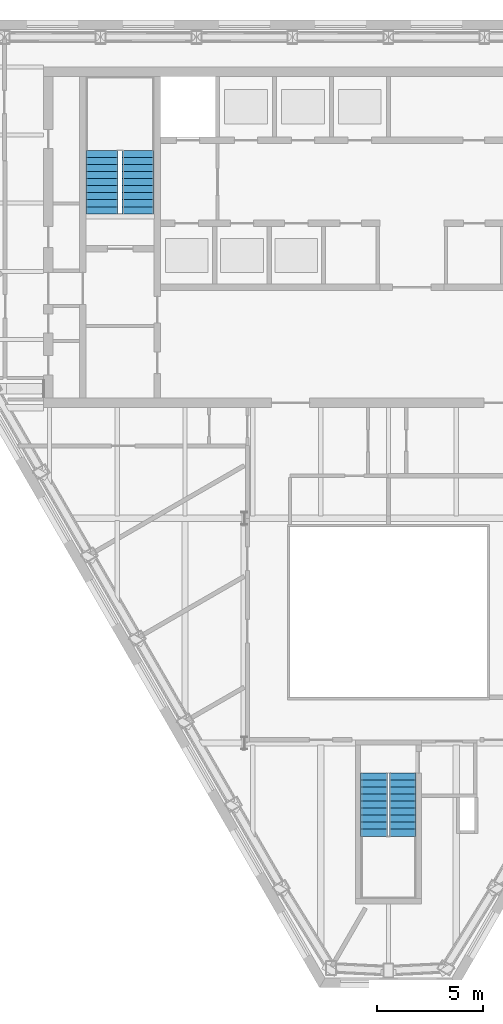
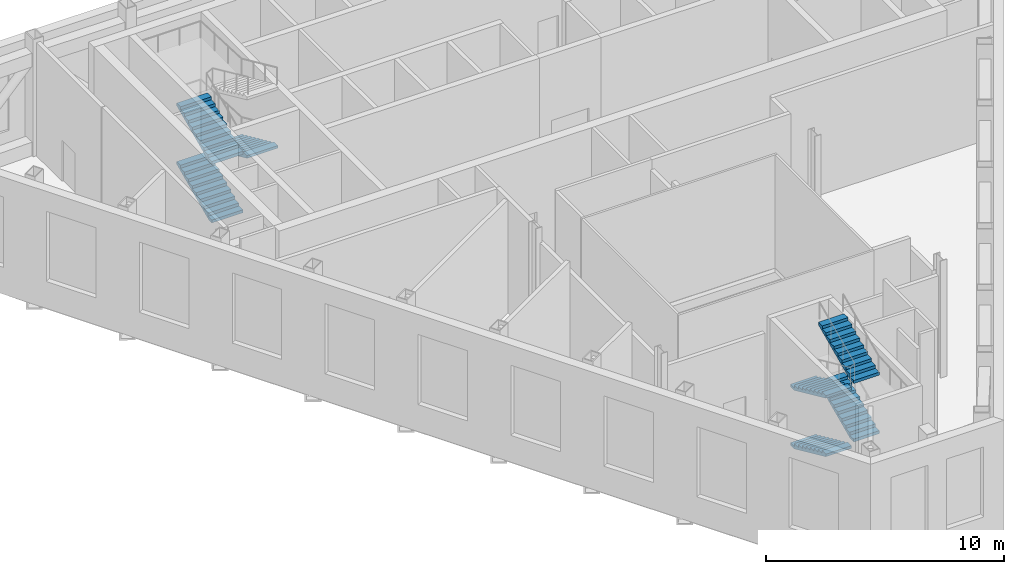
# One storey, part 11 of 14: 7 stair flights, 2 elements without a shape of their own.
"""IFC4 building model written with IfcOpenShell, lengths in metres."""

from ifc_helpers import new_model, si_unit, direction, frame, origin, place, context, subcontext, project, spatial, polygons, material, type_object, element, aggregate, save


model = new_model("IFC4")

# Units and contexts
model_context = context("Model", 3, precision=1e-05, world=origin(), true_north=direction((0.0, 1.0)))
body_context = subcontext(model_context, "Body", "Model", "MODEL_VIEW")
ifc_project = project(units=[si_unit("LENGTHUNIT", "METRE"), si_unit("AREAUNIT", "SQUARE_METRE"), si_unit("VOLUMEUNIT", "CUBIC_METRE"), si_unit("PLANEANGLEUNIT", "RADIAN"), si_unit("MASSUNIT", "GRAM", prefix="KILO")], contexts=[model_context])

# Site, building, storey
site_placement = place(None, origin())
site = spatial("IfcSite", under=ifc_project, at=site_placement, CompositionType="ELEMENT")
building_placement = place(site_placement, origin())
building = spatial("IfcBuilding", under=site, at=building_placement, Name="Njiva Tower", CompositionType="ELEMENT")
storey_placement = place(building_placement, frame((0.0, 0.0, 239.4)))
storey = spatial("IfcBuildingStorey", under=building, at=storey_placement, Name="L54", CompositionType="ELEMENT", Elevation=239.4)

# Stair, stair flights
ifc_material = material(Name="Concrete C40/50", Category="concrete")
stair_type_1 = type_object("IfcStairType", Name="ST1 Exit stair 1250", PredefinedType="HALF_TURN_STAIR", material=ifc_material)
stair_1_placement = place(storey_placement, origin())
stair_1 = element("IfcStair", 1, at=stair_1_placement, inside=storey, type_object=stair_type_1, Name="Stair C", PredefinedType="DOUBLE_RETURN_STAIR")
stair_flight_type_1 = type_object("IfcStairFlightType", Name="FL1 Stair flight 1250", PredefinedType="STRAIGHT", material=ifc_material)
stair_flight_1_placement = place(storey_placement, frame((-0.675, -15.16, 0.0), z_axis=(0.0, 0.0, 1.0), x_axis=(0.0, -1.0, 0.0)))
stair_flight_1 = element("IfcStairFlight", 2, at=stair_flight_1_placement, type_object=stair_flight_type_1, Name="ST-C flight 1", NumberOfRisers=10, NumberOfTreads=9, PredefinedType="STRAIGHT", RiserHeight=0.15, TreadLength=0.33, context=body_context, shape_type="Tessellation", body=[
    polygons([(0.0, 0.625, 0.0), (0.0, 0.3125, 0.0), (0.0, 0.0, 0.0), (0.0, -0.3125, 0.0), (0.0, -0.625, 0.0), (0.0, 0.625, 0.15), (0.0, 0.3125, 0.15), (0.0, 0.0, 0.15), (0.0, -0.3125, 0.15), (0.0, -0.625, 0.15), (0.33, 0.625, 0.15), (0.33, 0.3125, 0.15), (0.33, 0.0, 0.15), (0.33, -0.3125, 0.15), (0.33, -0.625, 0.15), (0.33, 0.625, 0.3), (0.33, 0.3125, 0.3), (0.33, 0.0, 0.3), (0.33, -0.3125, 0.3), (0.33, -0.625, 0.3), (0.66, 0.625, 0.3), (0.66, 0.3125, 0.3), (0.66, 0.0, 0.3), (0.66, -0.3125, 0.3), (0.66, -0.625, 0.3), (0.66, 0.625, 0.45), (0.66, 0.3125, 0.45), (0.66, 0.0, 0.45), (0.66, -0.3125, 0.45), (0.66, -0.625, 0.45), (0.99, 0.625, 0.45), (0.99, 0.3125, 0.45), (0.99, 0.0, 0.45), (0.99, -0.3125, 0.45), (0.99, -0.625, 0.45), (0.99, 0.625, 0.6), (0.99, 0.3125, 0.6), (0.99, 0.0, 0.6), (0.99, -0.3125, 0.6), (0.99, -0.625, 0.6), (1.32, 0.625, 0.6), (1.32, 0.3125, 0.6), (1.32, 0.0, 0.6), (1.32, -0.3125, 0.6), (1.32, -0.625, 0.6), (1.32, 0.625, 0.75), (1.32, 0.3125, 0.75), (1.32, 0.0, 0.75), (1.32, -0.3125, 0.75), (1.32, -0.625, 0.75), (1.65, 0.625, 0.75), (1.65, 0.3125, 0.75), (1.65, 0.0, 0.75), (1.65, -0.3125, 0.75), (1.65, -0.625, 0.75), (1.65, 0.625, 0.9), (1.65, 0.3125, 0.9), (1.65, 0.0, 0.9), (1.65, -0.3125, 0.9), (1.65, -0.625, 0.9), (1.98, 0.625, 0.9), (1.98, 0.3125, 0.9), (1.98, 0.0, 0.9), (1.98, -0.3125, 0.9), (1.98, -0.625, 0.9), (1.98, 0.625, 1.05), (1.98, 0.3125, 1.05), (1.98, 0.0, 1.05), (1.98, -0.3125, 1.05), (1.98, -0.625, 1.05), (2.31, 0.625, 1.05), (2.31, 0.3125, 1.05), (2.31, 0.0, 1.05), (2.31, -0.3125, 1.05), (2.31, -0.625, 1.05), (2.31, 0.625, 1.2), (2.31, 0.3125, 1.2), (2.31, 0.0, 1.2), (2.31, -0.3125, 1.2), (2.31, -0.625, 1.2), (2.64, 0.625, 1.2), (2.64, 0.3125, 1.2), (2.64, 0.0, 1.2), (2.64, -0.3125, 1.2), (2.64, -0.625, 1.2), (2.64, 0.625, 1.35), (2.64, 0.3125, 1.35), (2.64, 0.0, 1.35), (2.64, -0.3125, 1.35), (2.64, -0.625, 1.35), (2.97, 0.625, 1.35), (2.97, 0.3125, 1.35), (2.97, 0.0, 1.35), (2.97, -0.3125, 1.35), (2.97, -0.625, 1.35), (2.97, 0.625, 1.2182), (2.97, 0.3125, 1.2182), (2.97, 0.0, 1.2182), (2.97, -0.3125, 1.2182), (2.97, -0.625, 1.2182), (0.29, 0.625, 0.0), (0.29, 0.3125, 0.0), (0.29, 0.0, 0.0), (0.29, -0.3125, 0.0), (0.29, -0.625, 0.0)], [[[1, 6, 11, 16, 21, 26, 31, 36, 41, 46, 51, 56, 61, 66, 71, 76, 81, 86, 91, 96, 101]], [[105, 100, 95, 90, 85, 80, 75, 70, 65, 60, 55, 50, 45, 40, 35, 30, 25, 20, 15, 10, 5]], [[6, 1, 2, 7]], [[7, 2, 3, 8]], [[8, 3, 4, 9]], [[9, 4, 5, 10]], [[11, 6, 7, 12]], [[12, 7, 8, 13]], [[13, 8, 9, 14]], [[14, 9, 10, 15]], [[16, 11, 12, 17]], [[17, 12, 13, 18]], [[18, 13, 14, 19]], [[19, 14, 15, 20]], [[21, 16, 17, 22]], [[22, 17, 18, 23]], [[23, 18, 19, 24]], [[24, 19, 20, 25]], [[26, 21, 22, 27]], [[27, 22, 23, 28]], [[28, 23, 24, 29]], [[29, 24, 25, 30]], [[31, 26, 27, 32]], [[32, 27, 28, 33]], [[33, 28, 29, 34]], [[34, 29, 30, 35]], [[36, 31, 32, 37]], [[37, 32, 33, 38]], [[38, 33, 34, 39]], [[39, 34, 35, 40]], [[41, 36, 37, 42]], [[42, 37, 38, 43]], [[43, 38, 39, 44]], [[44, 39, 40, 45]], [[46, 41, 42, 47]], [[47, 42, 43, 48]], [[48, 43, 44, 49]], [[49, 44, 45, 50]], [[51, 46, 47, 52]], [[52, 47, 48, 53]], [[53, 48, 49, 54]], [[54, 49, 50, 55]], [[56, 51, 52, 57]], [[57, 52, 53, 58]], [[58, 53, 54, 59]], [[59, 54, 55, 60]], [[61, 56, 57, 62]], [[62, 57, 58, 63]], [[63, 58, 59, 64]], [[64, 59, 60, 65]], [[66, 61, 62, 67]], [[67, 62, 63, 68]], [[68, 63, 64, 69]], [[69, 64, 65, 70]], [[71, 66, 67, 72]], [[72, 67, 68, 73]], [[73, 68, 69, 74]], [[74, 69, 70, 75]], [[76, 71, 72, 77]], [[77, 72, 73, 78]], [[78, 73, 74, 79]], [[79, 74, 75, 80]], [[81, 76, 77, 82]], [[82, 77, 78, 83]], [[83, 78, 79, 84]], [[84, 79, 80, 85]], [[86, 81, 82, 87]], [[87, 82, 83, 88]], [[88, 83, 84, 89]], [[89, 84, 85, 90]], [[91, 86, 87, 92]], [[92, 87, 88, 93]], [[93, 88, 89, 94]], [[94, 89, 90, 95]], [[96, 91, 92, 97]], [[97, 92, 93, 98]], [[98, 93, 94, 99]], [[99, 94, 95, 100]], [[101, 96, 97, 102]], [[102, 97, 98, 103]], [[103, 98, 99, 104]], [[104, 99, 100, 105]], [[1, 101, 102, 2]], [[2, 102, 103, 3]], [[3, 103, 104, 4]], [[4, 104, 105, 5]]], closed=True),
])
stair_flight_2_placement = place(storey_placement, frame((0.675, -18.13, 1.5), z_axis=(0.0, 0.0, 1.0), x_axis=(0.0, 1.0, 0.0)))
stair_flight_2 = element("IfcStairFlight", 3, at=stair_flight_2_placement, type_object=stair_flight_type_1, Name="ST-C flight 2", NumberOfRisers=10, NumberOfTreads=9, PredefinedType="STRAIGHT", RiserHeight=0.15, TreadLength=0.33, context=body_context, shape_type="Tessellation", body=[
    polygons([(0.0, 0.625, 0.0), (0.0, 0.3125, 0.0), (0.0, 0.0, 0.0), (0.0, -0.3125, 0.0), (0.0, -0.625, 0.0), (0.0, 0.625, 0.15), (0.0, 0.3125, 0.15), (0.0, 0.0, 0.15), (0.0, -0.3125, 0.15), (0.0, -0.625, 0.15), (0.33, 0.625, 0.15), (0.33, 0.3125, 0.15), (0.33, 0.0, 0.15), (0.33, -0.3125, 0.15), (0.33, -0.625, 0.15), (0.33, 0.625, 0.3), (0.33, 0.3125, 0.3), (0.33, 0.0, 0.3), (0.33, -0.3125, 0.3), (0.33, -0.625, 0.3), (0.66, 0.625, 0.3), (0.66, 0.3125, 0.3), (0.66, 0.0, 0.3), (0.66, -0.3125, 0.3), (0.66, -0.625, 0.3), (0.66, 0.625, 0.45), (0.66, 0.3125, 0.45), (0.66, 0.0, 0.45), (0.66, -0.3125, 0.45), (0.66, -0.625, 0.45), (0.99, 0.625, 0.45), (0.99, 0.3125, 0.45), (0.99, 0.0, 0.45), (0.99, -0.3125, 0.45), (0.99, -0.625, 0.45), (0.99, 0.625, 0.6), (0.99, 0.3125, 0.6), (0.99, 0.0, 0.6), (0.99, -0.3125, 0.6), (0.99, -0.625, 0.6), (1.32, 0.625, 0.6), (1.32, 0.3125, 0.6), (1.32, 0.0, 0.6), (1.32, -0.3125, 0.6), (1.32, -0.625, 0.6), (1.32, 0.625, 0.75), (1.32, 0.3125, 0.75), (1.32, 0.0, 0.75), (1.32, -0.3125, 0.75), (1.32, -0.625, 0.75), (1.65, 0.625, 0.75), (1.65, 0.3125, 0.75), (1.65, 0.0, 0.75), (1.65, -0.3125, 0.75), (1.65, -0.625, 0.75), (1.65, 0.625, 0.9), (1.65, 0.3125, 0.9), (1.65, 0.0, 0.9), (1.65, -0.3125, 0.9), (1.65, -0.625, 0.9), (1.98, 0.625, 0.9), (1.98, 0.3125, 0.9), (1.98, 0.0, 0.9), (1.98, -0.3125, 0.9), (1.98, -0.625, 0.9), (1.98, 0.625, 1.05), (1.98, 0.3125, 1.05), (1.98, 0.0, 1.05), (1.98, -0.3125, 1.05), (1.98, -0.625, 1.05), (2.31, 0.625, 1.05), (2.31, 0.3125, 1.05), (2.31, 0.0, 1.05), (2.31, -0.3125, 1.05), (2.31, -0.625, 1.05), (2.31, 0.625, 1.2), (2.31, 0.3125, 1.2), (2.31, 0.0, 1.2), (2.31, -0.3125, 1.2), (2.31, -0.625, 1.2), (2.64, 0.625, 1.2), (2.64, 0.3125, 1.2), (2.64, 0.0, 1.2), (2.64, -0.3125, 1.2), (2.64, -0.625, 1.2), (2.64, 0.625, 1.35), (2.64, 0.3125, 1.35), (2.64, 0.0, 1.35), (2.64, -0.3125, 1.35), (2.64, -0.625, 1.35), (2.97, 0.625, 1.35), (2.97, 0.3125, 1.35), (2.97, 0.0, 1.35), (2.97, -0.3125, 1.35), (2.97, -0.625, 1.35), (2.97, 0.625, 1.2182), (2.97, 0.3125, 1.2182), (2.97, 0.0, 1.2182), (2.97, -0.3125, 1.2182), (2.97, -0.625, 1.2182), (0.29, 0.625, 0.0), (0.29, 0.3125, 0.0), (0.29, 0.0, 0.0), (0.29, -0.3125, 0.0), (0.29, -0.625, 0.0)], [[[1, 6, 11, 16, 21, 26, 31, 36, 41, 46, 51, 56, 61, 66, 71, 76, 81, 86, 91, 96, 101]], [[105, 100, 95, 90, 85, 80, 75, 70, 65, 60, 55, 50, 45, 40, 35, 30, 25, 20, 15, 10, 5]], [[6, 1, 2, 7]], [[7, 2, 3, 8]], [[8, 3, 4, 9]], [[9, 4, 5, 10]], [[11, 6, 7, 12]], [[12, 7, 8, 13]], [[13, 8, 9, 14]], [[14, 9, 10, 15]], [[16, 11, 12, 17]], [[17, 12, 13, 18]], [[18, 13, 14, 19]], [[19, 14, 15, 20]], [[21, 16, 17, 22]], [[22, 17, 18, 23]], [[23, 18, 19, 24]], [[24, 19, 20, 25]], [[26, 21, 22, 27]], [[27, 22, 23, 28]], [[28, 23, 24, 29]], [[29, 24, 25, 30]], [[31, 26, 27, 32]], [[32, 27, 28, 33]], [[33, 28, 29, 34]], [[34, 29, 30, 35]], [[36, 31, 32, 37]], [[37, 32, 33, 38]], [[38, 33, 34, 39]], [[39, 34, 35, 40]], [[41, 36, 37, 42]], [[42, 37, 38, 43]], [[43, 38, 39, 44]], [[44, 39, 40, 45]], [[46, 41, 42, 47]], [[47, 42, 43, 48]], [[48, 43, 44, 49]], [[49, 44, 45, 50]], [[51, 46, 47, 52]], [[52, 47, 48, 53]], [[53, 48, 49, 54]], [[54, 49, 50, 55]], [[56, 51, 52, 57]], [[57, 52, 53, 58]], [[58, 53, 54, 59]], [[59, 54, 55, 60]], [[61, 56, 57, 62]], [[62, 57, 58, 63]], [[63, 58, 59, 64]], [[64, 59, 60, 65]], [[66, 61, 62, 67]], [[67, 62, 63, 68]], [[68, 63, 64, 69]], [[69, 64, 65, 70]], [[71, 66, 67, 72]], [[72, 67, 68, 73]], [[73, 68, 69, 74]], [[74, 69, 70, 75]], [[76, 71, 72, 77]], [[77, 72, 73, 78]], [[78, 73, 74, 79]], [[79, 74, 75, 80]], [[81, 76, 77, 82]], [[82, 77, 78, 83]], [[83, 78, 79, 84]], [[84, 79, 80, 85]], [[86, 81, 82, 87]], [[87, 82, 83, 88]], [[88, 83, 84, 89]], [[89, 84, 85, 90]], [[91, 86, 87, 92]], [[92, 87, 88, 93]], [[93, 88, 89, 94]], [[94, 89, 90, 95]], [[96, 91, 92, 97]], [[97, 92, 93, 98]], [[98, 93, 94, 99]], [[99, 94, 95, 100]], [[101, 96, 97, 102]], [[102, 97, 98, 103]], [[103, 98, 99, 104]], [[104, 99, 100, 105]], [[1, 101, 102, 2]], [[2, 102, 103, 3]], [[3, 103, 104, 4]], [[4, 104, 105, 5]]], closed=True),
])
stair_flight_3_placement = place(storey_placement, frame((-0.675, -15.16, 3.0), z_axis=(0.0, 0.0, 1.0), x_axis=(0.0, -1.0, 0.0)))
stair_flight_3 = element("IfcStairFlight", 4, at=stair_flight_3_placement, type_object=stair_flight_type_1, Name="ST-C flight 3", NumberOfRisers=10, NumberOfTreads=9, PredefinedType="STRAIGHT", RiserHeight=0.15, TreadLength=0.33, context=body_context, shape_type="Tessellation", body=[
    polygons([(0.0, 0.625, 0.0), (0.0, 0.3125, 0.0), (0.0, 0.0, 0.0), (0.0, -0.3125, 0.0), (0.0, -0.625, 0.0), (0.0, 0.625, 0.15), (0.0, 0.3125, 0.15), (0.0, 0.0, 0.15), (0.0, -0.3125, 0.15), (0.0, -0.625, 0.15), (0.33, 0.625, 0.15), (0.33, 0.3125, 0.15), (0.33, 0.0, 0.15), (0.33, -0.3125, 0.15), (0.33, -0.625, 0.15), (0.33, 0.625, 0.3), (0.33, 0.3125, 0.3), (0.33, 0.0, 0.3), (0.33, -0.3125, 0.3), (0.33, -0.625, 0.3), (0.66, 0.625, 0.3), (0.66, 0.3125, 0.3), (0.66, 0.0, 0.3), (0.66, -0.3125, 0.3), (0.66, -0.625, 0.3), (0.66, 0.625, 0.45), (0.66, 0.3125, 0.45), (0.66, 0.0, 0.45), (0.66, -0.3125, 0.45), (0.66, -0.625, 0.45), (0.99, 0.625, 0.45), (0.99, 0.3125, 0.45), (0.99, 0.0, 0.45), (0.99, -0.3125, 0.45), (0.99, -0.625, 0.45), (0.99, 0.625, 0.6), (0.99, 0.3125, 0.6), (0.99, 0.0, 0.6), (0.99, -0.3125, 0.6), (0.99, -0.625, 0.6), (1.32, 0.625, 0.6), (1.32, 0.3125, 0.6), (1.32, 0.0, 0.6), (1.32, -0.3125, 0.6), (1.32, -0.625, 0.6), (1.32, 0.625, 0.75), (1.32, 0.3125, 0.75), (1.32, 0.0, 0.75), (1.32, -0.3125, 0.75), (1.32, -0.625, 0.75), (1.65, 0.625, 0.75), (1.65, 0.3125, 0.75), (1.65, 0.0, 0.75), (1.65, -0.3125, 0.75), (1.65, -0.625, 0.75), (1.65, 0.625, 0.9), (1.65, 0.3125, 0.9), (1.65, 0.0, 0.9), (1.65, -0.3125, 0.9), (1.65, -0.625, 0.9), (1.98, 0.625, 0.9), (1.98, 0.3125, 0.9), (1.98, 0.0, 0.9), (1.98, -0.3125, 0.9), (1.98, -0.625, 0.9), (1.98, 0.625, 1.05), (1.98, 0.3125, 1.05), (1.98, 0.0, 1.05), (1.98, -0.3125, 1.05), (1.98, -0.625, 1.05), (2.31, 0.625, 1.05), (2.31, 0.3125, 1.05), (2.31, 0.0, 1.05), (2.31, -0.3125, 1.05), (2.31, -0.625, 1.05), (2.31, 0.625, 1.2), (2.31, 0.3125, 1.2), (2.31, 0.0, 1.2), (2.31, -0.3125, 1.2), (2.31, -0.625, 1.2), (2.64, 0.625, 1.2), (2.64, 0.3125, 1.2), (2.64, 0.0, 1.2), (2.64, -0.3125, 1.2), (2.64, -0.625, 1.2), (2.64, 0.625, 1.35), (2.64, 0.3125, 1.35), (2.64, 0.0, 1.35), (2.64, -0.3125, 1.35), (2.64, -0.625, 1.35), (2.97, 0.625, 1.35), (2.97, 0.3125, 1.35), (2.97, 0.0, 1.35), (2.97, -0.3125, 1.35), (2.97, -0.625, 1.35), (2.97, 0.625, 1.2182), (2.97, 0.3125, 1.2182), (2.97, 0.0, 1.2182), (2.97, -0.3125, 1.2182), (2.97, -0.625, 1.2182), (0.29, 0.625, 0.0), (0.29, 0.3125, 0.0), (0.29, 0.0, 0.0), (0.29, -0.3125, 0.0), (0.29, -0.625, 0.0)], [[[1, 6, 11, 16, 21, 26, 31, 36, 41, 46, 51, 56, 61, 66, 71, 76, 81, 86, 91, 96, 101]], [[105, 100, 95, 90, 85, 80, 75, 70, 65, 60, 55, 50, 45, 40, 35, 30, 25, 20, 15, 10, 5]], [[6, 1, 2, 7]], [[7, 2, 3, 8]], [[8, 3, 4, 9]], [[9, 4, 5, 10]], [[11, 6, 7, 12]], [[12, 7, 8, 13]], [[13, 8, 9, 14]], [[14, 9, 10, 15]], [[16, 11, 12, 17]], [[17, 12, 13, 18]], [[18, 13, 14, 19]], [[19, 14, 15, 20]], [[21, 16, 17, 22]], [[22, 17, 18, 23]], [[23, 18, 19, 24]], [[24, 19, 20, 25]], [[26, 21, 22, 27]], [[27, 22, 23, 28]], [[28, 23, 24, 29]], [[29, 24, 25, 30]], [[31, 26, 27, 32]], [[32, 27, 28, 33]], [[33, 28, 29, 34]], [[34, 29, 30, 35]], [[36, 31, 32, 37]], [[37, 32, 33, 38]], [[38, 33, 34, 39]], [[39, 34, 35, 40]], [[41, 36, 37, 42]], [[42, 37, 38, 43]], [[43, 38, 39, 44]], [[44, 39, 40, 45]], [[46, 41, 42, 47]], [[47, 42, 43, 48]], [[48, 43, 44, 49]], [[49, 44, 45, 50]], [[51, 46, 47, 52]], [[52, 47, 48, 53]], [[53, 48, 49, 54]], [[54, 49, 50, 55]], [[56, 51, 52, 57]], [[57, 52, 53, 58]], [[58, 53, 54, 59]], [[59, 54, 55, 60]], [[61, 56, 57, 62]], [[62, 57, 58, 63]], [[63, 58, 59, 64]], [[64, 59, 60, 65]], [[66, 61, 62, 67]], [[67, 62, 63, 68]], [[68, 63, 64, 69]], [[69, 64, 65, 70]], [[71, 66, 67, 72]], [[72, 67, 68, 73]], [[73, 68, 69, 74]], [[74, 69, 70, 75]], [[76, 71, 72, 77]], [[77, 72, 73, 78]], [[78, 73, 74, 79]], [[79, 74, 75, 80]], [[81, 76, 77, 82]], [[82, 77, 78, 83]], [[83, 78, 79, 84]], [[84, 79, 80, 85]], [[86, 81, 82, 87]], [[87, 82, 83, 88]], [[88, 83, 84, 89]], [[89, 84, 85, 90]], [[91, 86, 87, 92]], [[92, 87, 88, 93]], [[93, 88, 89, 94]], [[94, 89, 90, 95]], [[96, 91, 92, 97]], [[97, 92, 93, 98]], [[98, 93, 94, 99]], [[99, 94, 95, 100]], [[101, 96, 97, 102]], [[102, 97, 98, 103]], [[103, 98, 99, 104]], [[104, 99, 100, 105]], [[1, 101, 102, 2]], [[2, 102, 103, 3]], [[3, 103, 104, 4]], [[4, 104, 105, 5]]], closed=True),
])
stair_flight_4_placement = place(storey_placement, frame((0.675, -18.13, 4.5), z_axis=(0.0, 0.0, 1.0), x_axis=(0.0, 1.0, 0.0)))
stair_flight_4 = element("IfcStairFlight", 5, at=stair_flight_4_placement, type_object=stair_flight_type_1, Name="ST-C flight 4", NumberOfRisers=10, NumberOfTreads=9, PredefinedType="STRAIGHT", RiserHeight=0.15, TreadLength=0.33, context=body_context, shape_type="Tessellation", body=[
    polygons([(0.0, 0.625, 0.0), (0.0, 0.3125, 0.0), (0.0, 0.0, 0.0), (0.0, -0.3125, 0.0), (0.0, -0.625, 0.0), (0.0, 0.625, 0.15), (0.0, 0.3125, 0.15), (0.0, 0.0, 0.15), (0.0, -0.3125, 0.15), (0.0, -0.625, 0.15), (0.33, 0.625, 0.15), (0.33, 0.3125, 0.15), (0.33, 0.0, 0.15), (0.33, -0.3125, 0.15), (0.33, -0.625, 0.15), (0.33, 0.625, 0.3), (0.33, 0.3125, 0.3), (0.33, 0.0, 0.3), (0.33, -0.3125, 0.3), (0.33, -0.625, 0.3), (0.66, 0.625, 0.3), (0.66, 0.3125, 0.3), (0.66, 0.0, 0.3), (0.66, -0.3125, 0.3), (0.66, -0.625, 0.3), (0.66, 0.625, 0.45), (0.66, 0.3125, 0.45), (0.66, 0.0, 0.45), (0.66, -0.3125, 0.45), (0.66, -0.625, 0.45), (0.99, 0.625, 0.45), (0.99, 0.3125, 0.45), (0.99, 0.0, 0.45), (0.99, -0.3125, 0.45), (0.99, -0.625, 0.45), (0.99, 0.625, 0.6), (0.99, 0.3125, 0.6), (0.99, 0.0, 0.6), (0.99, -0.3125, 0.6), (0.99, -0.625, 0.6), (1.32, 0.625, 0.6), (1.32, 0.3125, 0.6), (1.32, 0.0, 0.6), (1.32, -0.3125, 0.6), (1.32, -0.625, 0.6), (1.32, 0.625, 0.75), (1.32, 0.3125, 0.75), (1.32, 0.0, 0.75), (1.32, -0.3125, 0.75), (1.32, -0.625, 0.75), (1.65, 0.625, 0.75), (1.65, 0.3125, 0.75), (1.65, 0.0, 0.75), (1.65, -0.3125, 0.75), (1.65, -0.625, 0.75), (1.65, 0.625, 0.9), (1.65, 0.3125, 0.9), (1.65, 0.0, 0.9), (1.65, -0.3125, 0.9), (1.65, -0.625, 0.9), (1.98, 0.625, 0.9), (1.98, 0.3125, 0.9), (1.98, 0.0, 0.9), (1.98, -0.3125, 0.9), (1.98, -0.625, 0.9), (1.98, 0.625, 1.05), (1.98, 0.3125, 1.05), (1.98, 0.0, 1.05), (1.98, -0.3125, 1.05), (1.98, -0.625, 1.05), (2.31, 0.625, 1.05), (2.31, 0.3125, 1.05), (2.31, 0.0, 1.05), (2.31, -0.3125, 1.05), (2.31, -0.625, 1.05), (2.31, 0.625, 1.2), (2.31, 0.3125, 1.2), (2.31, 0.0, 1.2), (2.31, -0.3125, 1.2), (2.31, -0.625, 1.2), (2.64, 0.625, 1.2), (2.64, 0.3125, 1.2), (2.64, 0.0, 1.2), (2.64, -0.3125, 1.2), (2.64, -0.625, 1.2), (2.64, 0.625, 1.35), (2.64, 0.3125, 1.35), (2.64, 0.0, 1.35), (2.64, -0.3125, 1.35), (2.64, -0.625, 1.35), (2.97, 0.625, 1.35), (2.97, 0.3125, 1.35), (2.97, 0.0, 1.35), (2.97, -0.3125, 1.35), (2.97, -0.625, 1.35), (2.97, 0.625, 1.2182), (2.97, 0.3125, 1.2182), (2.97, 0.0, 1.2182), (2.97, -0.3125, 1.2182), (2.97, -0.625, 1.2182), (0.29, 0.625, 0.0), (0.29, 0.3125, 0.0), (0.29, 0.0, 0.0), (0.29, -0.3125, 0.0), (0.29, -0.625, 0.0)], [[[1, 6, 11, 16, 21, 26, 31, 36, 41, 46, 51, 56, 61, 66, 71, 76, 81, 86, 91, 96, 101]], [[105, 100, 95, 90, 85, 80, 75, 70, 65, 60, 55, 50, 45, 40, 35, 30, 25, 20, 15, 10, 5]], [[6, 1, 2, 7]], [[7, 2, 3, 8]], [[8, 3, 4, 9]], [[9, 4, 5, 10]], [[11, 6, 7, 12]], [[12, 7, 8, 13]], [[13, 8, 9, 14]], [[14, 9, 10, 15]], [[16, 11, 12, 17]], [[17, 12, 13, 18]], [[18, 13, 14, 19]], [[19, 14, 15, 20]], [[21, 16, 17, 22]], [[22, 17, 18, 23]], [[23, 18, 19, 24]], [[24, 19, 20, 25]], [[26, 21, 22, 27]], [[27, 22, 23, 28]], [[28, 23, 24, 29]], [[29, 24, 25, 30]], [[31, 26, 27, 32]], [[32, 27, 28, 33]], [[33, 28, 29, 34]], [[34, 29, 30, 35]], [[36, 31, 32, 37]], [[37, 32, 33, 38]], [[38, 33, 34, 39]], [[39, 34, 35, 40]], [[41, 36, 37, 42]], [[42, 37, 38, 43]], [[43, 38, 39, 44]], [[44, 39, 40, 45]], [[46, 41, 42, 47]], [[47, 42, 43, 48]], [[48, 43, 44, 49]], [[49, 44, 45, 50]], [[51, 46, 47, 52]], [[52, 47, 48, 53]], [[53, 48, 49, 54]], [[54, 49, 50, 55]], [[56, 51, 52, 57]], [[57, 52, 53, 58]], [[58, 53, 54, 59]], [[59, 54, 55, 60]], [[61, 56, 57, 62]], [[62, 57, 58, 63]], [[63, 58, 59, 64]], [[64, 59, 60, 65]], [[66, 61, 62, 67]], [[67, 62, 63, 68]], [[68, 63, 64, 69]], [[69, 64, 65, 70]], [[71, 66, 67, 72]], [[72, 67, 68, 73]], [[73, 68, 69, 74]], [[74, 69, 70, 75]], [[76, 71, 72, 77]], [[77, 72, 73, 78]], [[78, 73, 74, 79]], [[79, 74, 75, 80]], [[81, 76, 77, 82]], [[82, 77, 78, 83]], [[83, 78, 79, 84]], [[84, 79, 80, 85]], [[86, 81, 82, 87]], [[87, 82, 83, 88]], [[88, 83, 84, 89]], [[89, 84, 85, 90]], [[91, 86, 87, 92]], [[92, 87, 88, 93]], [[93, 88, 89, 94]], [[94, 89, 90, 95]], [[96, 91, 92, 97]], [[97, 92, 93, 98]], [[98, 93, 94, 99]], [[99, 94, 95, 100]], [[101, 96, 97, 102]], [[102, 97, 98, 103]], [[103, 98, 99, 104]], [[104, 99, 100, 105]], [[1, 101, 102, 2]], [[2, 102, 103, 3]], [[3, 103, 104, 4]], [[4, 104, 105, 5]]], closed=True),
])
aggregate(stair_1, [stair_flight_1, stair_flight_2, stair_flight_3, stair_flight_4])

stair_type_2 = type_object("IfcStairType", Name="ST4 Exit stair 1500", PredefinedType="HALF_TURN_STAIR", material=ifc_material)
stair_2_placement = place(storey_placement, origin())
stair_2 = element("IfcStair", 6, at=stair_2_placement, inside=storey, type_object=stair_type_2, Name="Stair A", PredefinedType="DOUBLE_RETURN_STAIR")
stair_flight_type_2 = type_object("IfcStairFlightType", Name="FL4 Stair flight 1500", PredefinedType="STRAIGHT", material=ifc_material)
stair_flight_5_placement = place(storey_placement, frame((-13.45, 11.1, 0.0), z_axis=(0.0, 0.0, 1.0), x_axis=(0.0, 1.0, 0.0)))
stair_flight_5 = element("IfcStairFlight", 7, at=stair_flight_5_placement, type_object=stair_flight_type_2, Name="ST-A flight 1", NumberOfRisers=10, NumberOfTreads=9, PredefinedType="STRAIGHT", RiserHeight=0.15, TreadLength=0.33, context=body_context, shape_type="Tessellation", body=[
    polygons([(0.0, 0.75, 0.0), (0.0, 0.375, 0.0), (0.0, 0.0, 0.0), (0.0, -0.375, 0.0), (0.0, -0.75, 0.0), (0.0, 0.75, 0.15), (0.0, 0.375, 0.15), (0.0, 0.0, 0.15), (0.0, -0.375, 0.15), (0.0, -0.75, 0.15), (0.33, 0.75, 0.15), (0.33, 0.375, 0.15), (0.33, 0.0, 0.15), (0.33, -0.375, 0.15), (0.33, -0.75, 0.15), (0.33, 0.75, 0.3), (0.33, 0.375, 0.3), (0.33, 0.0, 0.3), (0.33, -0.375, 0.3), (0.33, -0.75, 0.3), (0.66, 0.75, 0.3), (0.66, 0.375, 0.3), (0.66, 0.0, 0.3), (0.66, -0.375, 0.3), (0.66, -0.75, 0.3), (0.66, 0.75, 0.45), (0.66, 0.375, 0.45), (0.66, 0.0, 0.45), (0.66, -0.375, 0.45), (0.66, -0.75, 0.45), (0.99, 0.75, 0.45), (0.99, 0.375, 0.45), (0.99, 0.0, 0.45), (0.99, -0.375, 0.45), (0.99, -0.75, 0.45), (0.99, 0.75, 0.6), (0.99, 0.375, 0.6), (0.99, 0.0, 0.6), (0.99, -0.375, 0.6), (0.99, -0.75, 0.6), (1.32, 0.75, 0.6), (1.32, 0.375, 0.6), (1.32, 0.0, 0.6), (1.32, -0.375, 0.6), (1.32, -0.75, 0.6), (1.32, 0.75, 0.75), (1.32, 0.375, 0.75), (1.32, 0.0, 0.75), (1.32, -0.375, 0.75), (1.32, -0.75, 0.75), (1.65, 0.75, 0.75), (1.65, 0.375, 0.75), (1.65, 0.0, 0.75), (1.65, -0.375, 0.75), (1.65, -0.75, 0.75), (1.65, 0.75, 0.9), (1.65, 0.375, 0.9), (1.65, 0.0, 0.9), (1.65, -0.375, 0.9), (1.65, -0.75, 0.9), (1.98, 0.75, 0.9), (1.98, 0.375, 0.9), (1.98, 0.0, 0.9), (1.98, -0.375, 0.9), (1.98, -0.75, 0.9), (1.98, 0.75, 1.05), (1.98, 0.375, 1.05), (1.98, 0.0, 1.05), (1.98, -0.375, 1.05), (1.98, -0.75, 1.05), (2.31, 0.75, 1.05), (2.31, 0.375, 1.05), (2.31, 0.0, 1.05), (2.31, -0.375, 1.05), (2.31, -0.75, 1.05), (2.31, 0.75, 1.2), (2.31, 0.375, 1.2), (2.31, 0.0, 1.2), (2.31, -0.375, 1.2), (2.31, -0.75, 1.2), (2.64, 0.75, 1.2), (2.64, 0.375, 1.2), (2.64, 0.0, 1.2), (2.64, -0.375, 1.2), (2.64, -0.75, 1.2), (2.64, 0.75, 1.35), (2.64, 0.375, 1.35), (2.64, 0.0, 1.35), (2.64, -0.375, 1.35), (2.64, -0.75, 1.35), (2.97, 0.75, 1.35), (2.97, 0.375, 1.35), (2.97, 0.0, 1.35), (2.97, -0.375, 1.35), (2.97, -0.75, 1.35), (2.97, 0.75, 1.2182), (2.97, 0.375, 1.2182), (2.97, 0.0, 1.2182), (2.97, -0.375, 1.2182), (2.97, -0.75, 1.2182), (0.29, 0.75, 0.0), (0.29, 0.375, 0.0), (0.29, 0.0, 0.0), (0.29, -0.375, 0.0), (0.29, -0.75, 0.0)], [[[1, 6, 11, 16, 21, 26, 31, 36, 41, 46, 51, 56, 61, 66, 71, 76, 81, 86, 91, 96, 101]], [[105, 100, 95, 90, 85, 80, 75, 70, 65, 60, 55, 50, 45, 40, 35, 30, 25, 20, 15, 10, 5]], [[6, 1, 2, 7]], [[7, 2, 3, 8]], [[8, 3, 4, 9]], [[9, 4, 5, 10]], [[11, 6, 7, 12]], [[12, 7, 8, 13]], [[13, 8, 9, 14]], [[14, 9, 10, 15]], [[16, 11, 12, 17]], [[17, 12, 13, 18]], [[18, 13, 14, 19]], [[19, 14, 15, 20]], [[21, 16, 17, 22]], [[22, 17, 18, 23]], [[23, 18, 19, 24]], [[24, 19, 20, 25]], [[26, 21, 22, 27]], [[27, 22, 23, 28]], [[28, 23, 24, 29]], [[29, 24, 25, 30]], [[31, 26, 27, 32]], [[32, 27, 28, 33]], [[33, 28, 29, 34]], [[34, 29, 30, 35]], [[36, 31, 32, 37]], [[37, 32, 33, 38]], [[38, 33, 34, 39]], [[39, 34, 35, 40]], [[41, 36, 37, 42]], [[42, 37, 38, 43]], [[43, 38, 39, 44]], [[44, 39, 40, 45]], [[46, 41, 42, 47]], [[47, 42, 43, 48]], [[48, 43, 44, 49]], [[49, 44, 45, 50]], [[51, 46, 47, 52]], [[52, 47, 48, 53]], [[53, 48, 49, 54]], [[54, 49, 50, 55]], [[56, 51, 52, 57]], [[57, 52, 53, 58]], [[58, 53, 54, 59]], [[59, 54, 55, 60]], [[61, 56, 57, 62]], [[62, 57, 58, 63]], [[63, 58, 59, 64]], [[64, 59, 60, 65]], [[66, 61, 62, 67]], [[67, 62, 63, 68]], [[68, 63, 64, 69]], [[69, 64, 65, 70]], [[71, 66, 67, 72]], [[72, 67, 68, 73]], [[73, 68, 69, 74]], [[74, 69, 70, 75]], [[76, 71, 72, 77]], [[77, 72, 73, 78]], [[78, 73, 74, 79]], [[79, 74, 75, 80]], [[81, 76, 77, 82]], [[82, 77, 78, 83]], [[83, 78, 79, 84]], [[84, 79, 80, 85]], [[86, 81, 82, 87]], [[87, 82, 83, 88]], [[88, 83, 84, 89]], [[89, 84, 85, 90]], [[91, 86, 87, 92]], [[92, 87, 88, 93]], [[93, 88, 89, 94]], [[94, 89, 90, 95]], [[96, 91, 92, 97]], [[97, 92, 93, 98]], [[98, 93, 94, 99]], [[99, 94, 95, 100]], [[101, 96, 97, 102]], [[102, 97, 98, 103]], [[103, 98, 99, 104]], [[104, 99, 100, 105]], [[1, 101, 102, 2]], [[2, 102, 103, 3]], [[3, 103, 104, 4]], [[4, 104, 105, 5]]], closed=True),
])
stair_flight_6_placement = place(storey_placement, frame((-11.75, 14.07, 1.5), z_axis=(0.0, 0.0, 1.0), x_axis=(0.0, -1.0, 0.0)))
stair_flight_6 = element("IfcStairFlight", 8, at=stair_flight_6_placement, type_object=stair_flight_type_2, Name="ST-A flight 2", NumberOfRisers=10, NumberOfTreads=9, PredefinedType="STRAIGHT", RiserHeight=0.15, TreadLength=0.33, context=body_context, shape_type="Tessellation", body=[
    polygons([(0.0, 0.75, 0.0), (0.0, 0.375, 0.0), (0.0, 0.0, 0.0), (0.0, -0.375, 0.0), (0.0, -0.75, 0.0), (0.0, 0.75, 0.15), (0.0, 0.375, 0.15), (0.0, 0.0, 0.15), (0.0, -0.375, 0.15), (0.0, -0.75, 0.15), (0.33, 0.75, 0.15), (0.33, 0.375, 0.15), (0.33, 0.0, 0.15), (0.33, -0.375, 0.15), (0.33, -0.75, 0.15), (0.33, 0.75, 0.3), (0.33, 0.375, 0.3), (0.33, 0.0, 0.3), (0.33, -0.375, 0.3), (0.33, -0.75, 0.3), (0.66, 0.75, 0.3), (0.66, 0.375, 0.3), (0.66, 0.0, 0.3), (0.66, -0.375, 0.3), (0.66, -0.75, 0.3), (0.66, 0.75, 0.45), (0.66, 0.375, 0.45), (0.66, 0.0, 0.45), (0.66, -0.375, 0.45), (0.66, -0.75, 0.45), (0.99, 0.75, 0.45), (0.99, 0.375, 0.45), (0.99, 0.0, 0.45), (0.99, -0.375, 0.45), (0.99, -0.75, 0.45), (0.99, 0.75, 0.6), (0.99, 0.375, 0.6), (0.99, 0.0, 0.6), (0.99, -0.375, 0.6), (0.99, -0.75, 0.6), (1.32, 0.75, 0.6), (1.32, 0.375, 0.6), (1.32, 0.0, 0.6), (1.32, -0.375, 0.6), (1.32, -0.75, 0.6), (1.32, 0.75, 0.75), (1.32, 0.375, 0.75), (1.32, 0.0, 0.75), (1.32, -0.375, 0.75), (1.32, -0.75, 0.75), (1.65, 0.75, 0.75), (1.65, 0.375, 0.75), (1.65, 0.0, 0.75), (1.65, -0.375, 0.75), (1.65, -0.75, 0.75), (1.65, 0.75, 0.9), (1.65, 0.375, 0.9), (1.65, 0.0, 0.9), (1.65, -0.375, 0.9), (1.65, -0.75, 0.9), (1.98, 0.75, 0.9), (1.98, 0.375, 0.9), (1.98, 0.0, 0.9), (1.98, -0.375, 0.9), (1.98, -0.75, 0.9), (1.98, 0.75, 1.05), (1.98, 0.375, 1.05), (1.98, 0.0, 1.05), (1.98, -0.375, 1.05), (1.98, -0.75, 1.05), (2.31, 0.75, 1.05), (2.31, 0.375, 1.05), (2.31, 0.0, 1.05), (2.31, -0.375, 1.05), (2.31, -0.75, 1.05), (2.31, 0.75, 1.2), (2.31, 0.375, 1.2), (2.31, 0.0, 1.2), (2.31, -0.375, 1.2), (2.31, -0.75, 1.2), (2.64, 0.75, 1.2), (2.64, 0.375, 1.2), (2.64, 0.0, 1.2), (2.64, -0.375, 1.2), (2.64, -0.75, 1.2), (2.64, 0.75, 1.35), (2.64, 0.375, 1.35), (2.64, 0.0, 1.35), (2.64, -0.375, 1.35), (2.64, -0.75, 1.35), (2.97, 0.75, 1.35), (2.97, 0.375, 1.35), (2.97, 0.0, 1.35), (2.97, -0.375, 1.35), (2.97, -0.75, 1.35), (2.97, 0.75, 1.2182), (2.97, 0.375, 1.2182), (2.97, 0.0, 1.2182), (2.97, -0.375, 1.2182), (2.97, -0.75, 1.2182), (0.29, 0.75, 0.0), (0.29, 0.375, 0.0), (0.29, 0.0, 0.0), (0.29, -0.375, 0.0), (0.29, -0.75, 0.0)], [[[1, 6, 11, 16, 21, 26, 31, 36, 41, 46, 51, 56, 61, 66, 71, 76, 81, 86, 91, 96, 101]], [[105, 100, 95, 90, 85, 80, 75, 70, 65, 60, 55, 50, 45, 40, 35, 30, 25, 20, 15, 10, 5]], [[6, 1, 2, 7]], [[7, 2, 3, 8]], [[8, 3, 4, 9]], [[9, 4, 5, 10]], [[11, 6, 7, 12]], [[12, 7, 8, 13]], [[13, 8, 9, 14]], [[14, 9, 10, 15]], [[16, 11, 12, 17]], [[17, 12, 13, 18]], [[18, 13, 14, 19]], [[19, 14, 15, 20]], [[21, 16, 17, 22]], [[22, 17, 18, 23]], [[23, 18, 19, 24]], [[24, 19, 20, 25]], [[26, 21, 22, 27]], [[27, 22, 23, 28]], [[28, 23, 24, 29]], [[29, 24, 25, 30]], [[31, 26, 27, 32]], [[32, 27, 28, 33]], [[33, 28, 29, 34]], [[34, 29, 30, 35]], [[36, 31, 32, 37]], [[37, 32, 33, 38]], [[38, 33, 34, 39]], [[39, 34, 35, 40]], [[41, 36, 37, 42]], [[42, 37, 38, 43]], [[43, 38, 39, 44]], [[44, 39, 40, 45]], [[46, 41, 42, 47]], [[47, 42, 43, 48]], [[48, 43, 44, 49]], [[49, 44, 45, 50]], [[51, 46, 47, 52]], [[52, 47, 48, 53]], [[53, 48, 49, 54]], [[54, 49, 50, 55]], [[56, 51, 52, 57]], [[57, 52, 53, 58]], [[58, 53, 54, 59]], [[59, 54, 55, 60]], [[61, 56, 57, 62]], [[62, 57, 58, 63]], [[63, 58, 59, 64]], [[64, 59, 60, 65]], [[66, 61, 62, 67]], [[67, 62, 63, 68]], [[68, 63, 64, 69]], [[69, 64, 65, 70]], [[71, 66, 67, 72]], [[72, 67, 68, 73]], [[73, 68, 69, 74]], [[74, 69, 70, 75]], [[76, 71, 72, 77]], [[77, 72, 73, 78]], [[78, 73, 74, 79]], [[79, 74, 75, 80]], [[81, 76, 77, 82]], [[82, 77, 78, 83]], [[83, 78, 79, 84]], [[84, 79, 80, 85]], [[86, 81, 82, 87]], [[87, 82, 83, 88]], [[88, 83, 84, 89]], [[89, 84, 85, 90]], [[91, 86, 87, 92]], [[92, 87, 88, 93]], [[93, 88, 89, 94]], [[94, 89, 90, 95]], [[96, 91, 92, 97]], [[97, 92, 93, 98]], [[98, 93, 94, 99]], [[99, 94, 95, 100]], [[101, 96, 97, 102]], [[102, 97, 98, 103]], [[103, 98, 99, 104]], [[104, 99, 100, 105]], [[1, 101, 102, 2]], [[2, 102, 103, 3]], [[3, 103, 104, 4]], [[4, 104, 105, 5]]], closed=True),
])
stair_flight_7_placement = place(storey_placement, frame((-13.45, 11.1, 3.0), z_axis=(0.0, 0.0, 1.0), x_axis=(0.0, 1.0, 0.0)))
stair_flight_7 = element("IfcStairFlight", 9, at=stair_flight_7_placement, type_object=stair_flight_type_2, Name="ST-A flight 3", NumberOfRisers=10, NumberOfTreads=9, PredefinedType="STRAIGHT", RiserHeight=0.15, TreadLength=0.33, context=body_context, shape_type="Tessellation", body=[
    polygons([(0.0, 0.75, 0.0), (0.0, 0.375, 0.0), (0.0, 0.0, 0.0), (0.0, -0.375, 0.0), (0.0, -0.75, 0.0), (0.0, 0.75, 0.15), (0.0, 0.375, 0.15), (0.0, 0.0, 0.15), (0.0, -0.375, 0.15), (0.0, -0.75, 0.15), (0.33, 0.75, 0.15), (0.33, 0.375, 0.15), (0.33, 0.0, 0.15), (0.33, -0.375, 0.15), (0.33, -0.75, 0.15), (0.33, 0.75, 0.3), (0.33, 0.375, 0.3), (0.33, 0.0, 0.3), (0.33, -0.375, 0.3), (0.33, -0.75, 0.3), (0.66, 0.75, 0.3), (0.66, 0.375, 0.3), (0.66, 0.0, 0.3), (0.66, -0.375, 0.3), (0.66, -0.75, 0.3), (0.66, 0.75, 0.45), (0.66, 0.375, 0.45), (0.66, 0.0, 0.45), (0.66, -0.375, 0.45), (0.66, -0.75, 0.45), (0.99, 0.75, 0.45), (0.99, 0.375, 0.45), (0.99, 0.0, 0.45), (0.99, -0.375, 0.45), (0.99, -0.75, 0.45), (0.99, 0.75, 0.6), (0.99, 0.375, 0.6), (0.99, 0.0, 0.6), (0.99, -0.375, 0.6), (0.99, -0.75, 0.6), (1.32, 0.75, 0.6), (1.32, 0.375, 0.6), (1.32, 0.0, 0.6), (1.32, -0.375, 0.6), (1.32, -0.75, 0.6), (1.32, 0.75, 0.75), (1.32, 0.375, 0.75), (1.32, 0.0, 0.75), (1.32, -0.375, 0.75), (1.32, -0.75, 0.75), (1.65, 0.75, 0.75), (1.65, 0.375, 0.75), (1.65, 0.0, 0.75), (1.65, -0.375, 0.75), (1.65, -0.75, 0.75), (1.65, 0.75, 0.9), (1.65, 0.375, 0.9), (1.65, 0.0, 0.9), (1.65, -0.375, 0.9), (1.65, -0.75, 0.9), (1.98, 0.75, 0.9), (1.98, 0.375, 0.9), (1.98, 0.0, 0.9), (1.98, -0.375, 0.9), (1.98, -0.75, 0.9), (1.98, 0.75, 1.05), (1.98, 0.375, 1.05), (1.98, 0.0, 1.05), (1.98, -0.375, 1.05), (1.98, -0.75, 1.05), (2.31, 0.75, 1.05), (2.31, 0.375, 1.05), (2.31, 0.0, 1.05), (2.31, -0.375, 1.05), (2.31, -0.75, 1.05), (2.31, 0.75, 1.2), (2.31, 0.375, 1.2), (2.31, 0.0, 1.2), (2.31, -0.375, 1.2), (2.31, -0.75, 1.2), (2.64, 0.75, 1.2), (2.64, 0.375, 1.2), (2.64, 0.0, 1.2), (2.64, -0.375, 1.2), (2.64, -0.75, 1.2), (2.64, 0.75, 1.35), (2.64, 0.375, 1.35), (2.64, 0.0, 1.35), (2.64, -0.375, 1.35), (2.64, -0.75, 1.35), (2.97, 0.75, 1.35), (2.97, 0.375, 1.35), (2.97, 0.0, 1.35), (2.97, -0.375, 1.35), (2.97, -0.75, 1.35), (2.97, 0.75, 1.2182), (2.97, 0.375, 1.2182), (2.97, 0.0, 1.2182), (2.97, -0.375, 1.2182), (2.97, -0.75, 1.2182), (0.29, 0.75, 0.0), (0.29, 0.375, 0.0), (0.29, 0.0, 0.0), (0.29, -0.375, 0.0), (0.29, -0.75, 0.0)], [[[1, 6, 11, 16, 21, 26, 31, 36, 41, 46, 51, 56, 61, 66, 71, 76, 81, 86, 91, 96, 101]], [[105, 100, 95, 90, 85, 80, 75, 70, 65, 60, 55, 50, 45, 40, 35, 30, 25, 20, 15, 10, 5]], [[6, 1, 2, 7]], [[7, 2, 3, 8]], [[8, 3, 4, 9]], [[9, 4, 5, 10]], [[11, 6, 7, 12]], [[12, 7, 8, 13]], [[13, 8, 9, 14]], [[14, 9, 10, 15]], [[16, 11, 12, 17]], [[17, 12, 13, 18]], [[18, 13, 14, 19]], [[19, 14, 15, 20]], [[21, 16, 17, 22]], [[22, 17, 18, 23]], [[23, 18, 19, 24]], [[24, 19, 20, 25]], [[26, 21, 22, 27]], [[27, 22, 23, 28]], [[28, 23, 24, 29]], [[29, 24, 25, 30]], [[31, 26, 27, 32]], [[32, 27, 28, 33]], [[33, 28, 29, 34]], [[34, 29, 30, 35]], [[36, 31, 32, 37]], [[37, 32, 33, 38]], [[38, 33, 34, 39]], [[39, 34, 35, 40]], [[41, 36, 37, 42]], [[42, 37, 38, 43]], [[43, 38, 39, 44]], [[44, 39, 40, 45]], [[46, 41, 42, 47]], [[47, 42, 43, 48]], [[48, 43, 44, 49]], [[49, 44, 45, 50]], [[51, 46, 47, 52]], [[52, 47, 48, 53]], [[53, 48, 49, 54]], [[54, 49, 50, 55]], [[56, 51, 52, 57]], [[57, 52, 53, 58]], [[58, 53, 54, 59]], [[59, 54, 55, 60]], [[61, 56, 57, 62]], [[62, 57, 58, 63]], [[63, 58, 59, 64]], [[64, 59, 60, 65]], [[66, 61, 62, 67]], [[67, 62, 63, 68]], [[68, 63, 64, 69]], [[69, 64, 65, 70]], [[71, 66, 67, 72]], [[72, 67, 68, 73]], [[73, 68, 69, 74]], [[74, 69, 70, 75]], [[76, 71, 72, 77]], [[77, 72, 73, 78]], [[78, 73, 74, 79]], [[79, 74, 75, 80]], [[81, 76, 77, 82]], [[82, 77, 78, 83]], [[83, 78, 79, 84]], [[84, 79, 80, 85]], [[86, 81, 82, 87]], [[87, 82, 83, 88]], [[88, 83, 84, 89]], [[89, 84, 85, 90]], [[91, 86, 87, 92]], [[92, 87, 88, 93]], [[93, 88, 89, 94]], [[94, 89, 90, 95]], [[96, 91, 92, 97]], [[97, 92, 93, 98]], [[98, 93, 94, 99]], [[99, 94, 95, 100]], [[101, 96, 97, 102]], [[102, 97, 98, 103]], [[103, 98, 99, 104]], [[104, 99, 100, 105]], [[1, 101, 102, 2]], [[2, 102, 103, 3]], [[3, 103, 104, 4]], [[4, 104, 105, 5]]], closed=True),
])
aggregate(stair_2, [stair_flight_5, stair_flight_6, stair_flight_7])

save(model, "model.ifc")
